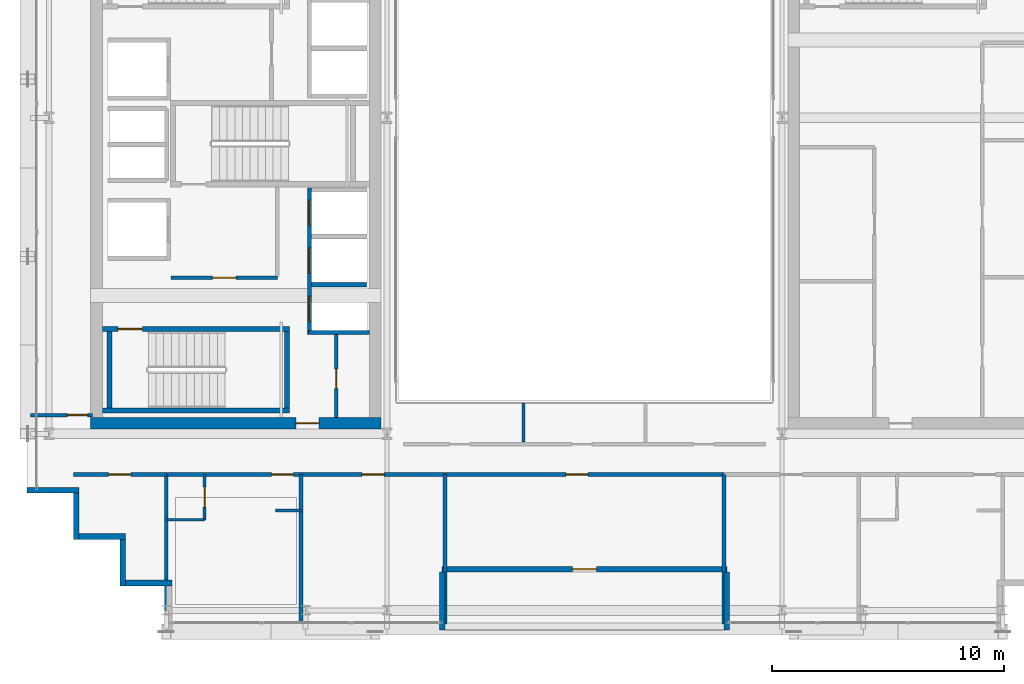
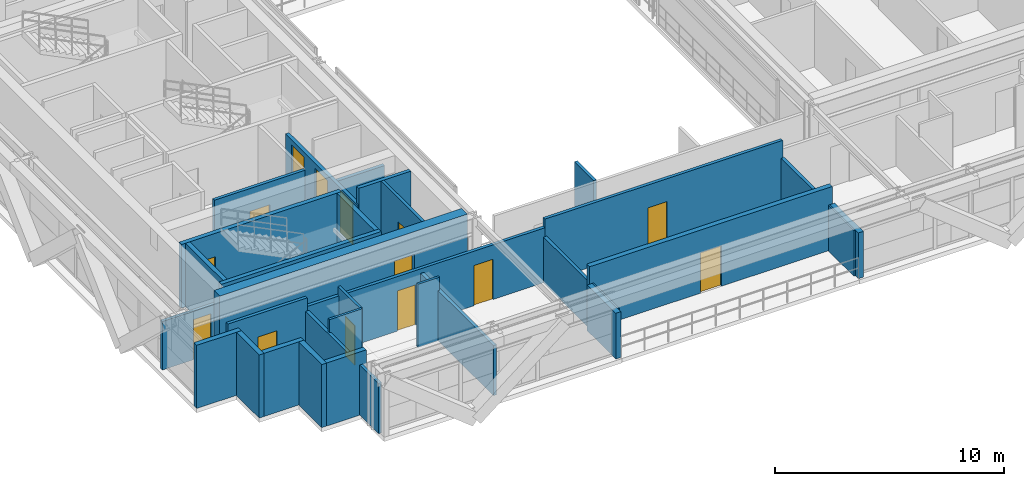
# One storey, part 29 of 37: 30 walls, 14 doors, 14 openings.
"""IFC4 building model written with IfcOpenShell, lengths in metres."""

from ifc_helpers import new_model, si_unit, direction, frame, frame_2d, origin, place, context, subcontext, project, spatial, rectangle, extrude, source, transform, mapped, material, layer, layer_set, type_object, element, fill, save


model = new_model("IFC4")

# Units and contexts
model_context = context("Model", 3, precision=1e-05, world=origin(), true_north=direction((0.0, 1.0)))
body_context = subcontext(model_context, "Body", "Model", "MODEL_VIEW")
ifc_project = project(units=[si_unit("LENGTHUNIT", "METRE"), si_unit("AREAUNIT", "SQUARE_METRE"), si_unit("VOLUMEUNIT", "CUBIC_METRE"), si_unit("PLANEANGLEUNIT", "RADIAN"), si_unit("MASSUNIT", "GRAM", prefix="KILO")], contexts=[model_context])

# Site, building, storey
site_placement = place(None, origin())
site = spatial("IfcSite", under=ifc_project, at=site_placement, CompositionType="ELEMENT")
building_placement = place(site_placement, origin())
building = spatial("IfcBuilding", under=site, at=building_placement, Name="Ocotamira Hotel", CompositionType="ELEMENT")
storey_placement = place(building_placement, frame((0.0, 0.0, 192.0)))
storey = spatial("IfcBuildingStorey", under=building, at=storey_placement, Name="L48", CompositionType="ELEMENT", Elevation=192.0)

# Wall, opening, door
ifc_material_1 = material(Name="Concrete C50/60", Category="concrete")
ifc_layer_1 = layer(ifc_material_1, 0.5)
ifc_layer_set_1 = layer_set([ifc_layer_1], Name="Concrete C50/60")
wall_type_1 = type_object("IfcWallType", Name="WL-CORE-500", PredefinedType="SHEAR", material=ifc_layer_set_1)
wall_1_placement = place(storey_placement, frame((10.75, 15.0, 0.0), z_axis=(0.0, 0.0, 1.0), x_axis=(1.0, 0.0, 0.0)))
wall_1 = element("IfcWall", 1, at=wall_1_placement, inside=storey, type_object=wall_type_1, Name="L48 Shear Core Wall WCORE-S", PredefinedType="SHEAR", context=body_context, shape_type="SweptSolid", body=[
    extrude(rectangle(XDim=12.5, YDim=0.5, at=frame_2d((6.25, 0.0))), origin(), (0.0, 0.0, 1.0), 3.3701171875),
])
opening_1_placement = place(wall_1_placement, frame((8.830078125, 0.0, 0.0)))
opening_1 = element("IfcOpeningElement", 2, at=opening_1_placement, cuts=wall_1, Name="Opening D-FR2", PredefinedType="OPENING", context=body_context, shape_type="SweptSolid", body=[
    extrude(rectangle(XDim=1.0, YDim=2.14990234375, at=frame_2d((0.5, 1.074951171875))), frame((0.0, 0.260009765625, 0.0), z_axis=(0.0, -1.0, 0.0), x_axis=(1.0, 0.0, 0.0)), (0.0, 0.0, 1.0), 0.52001953125),
])
ifc_material_2 = material(Name="Fire-rated acoustic timber-veneer door", Category="wood")
door_type_1 = type_object("IfcDoorType", Name="DR-FIRE-1000", OperationType="NOTDEFINED", PredefinedType="DOOR", material=ifc_material_2)
shared_shape_1 = source(origin(), body_context, "Body", "SweptSolid", [
    extrude(rectangle(XDim=1.0, YDim=2.14990234375, at=frame_2d((0.5, 1.074951171875))), frame((0.0, 0.02490234375, 0.0), z_axis=(0.0, -1.0, 0.0), x_axis=(1.0, 0.0, 0.0)), (0.0, 0.0, 1.0), 0.050048828125),
])
door_1_placement = place(opening_1_placement, origin())
door_1 = element("IfcDoor", 3, at=door_1_placement, inside=storey, type_object=door_type_1, Name="L48 Door ID-L48-WLOB-S-D [ID-L48-WLOB-S-D]", OperationType="SINGLE_SWING_LEFT", OverallHeight=2.14990234375, OverallWidth=1.0, PredefinedType="DOOR", context=body_context, shape_type="MappedRepresentation", body=[
    mapped(shared_shape_1, transform((0.0, 0.0, 0.0), scale=1.0)),
])
fill(opening_1, door_1)

# Walls
ifc_material_3 = material(Name="Precast concrete C45/55", Category="concrete")
ifc_layer_2 = layer(ifc_material_3, 0.25)
ifc_layer_set_2 = layer_set([ifc_layer_2], Name="Precast concrete C45/55")
wall_type_2 = type_object("IfcWallType", Name="WL-EXT-SER-250", PredefinedType="SOLIDWALL", material=ifc_layer_set_2)
wall_2_placement = place(storey_placement, frame((8.0, 12.125, 0.0), z_axis=(0.0, 0.0, 1.0), x_axis=(1.0, 0.0, 0.0)))
element("IfcWall", 4, at=wall_2_placement, inside=storey, type_object=wall_type_2, Name="L48 Serrated Corner Wall 19", PredefinedType="SOLIDWALL", context=body_context, shape_type="SweptSolid", body=[
    extrude(rectangle(XDim=2.25, YDim=0.25, at=frame_2d((1.125, 0.0))), origin(), (0.0, 0.0, 1.0), 3.3701171875),
])
for number, where, z_axis, x_axis, name in (
    (5, (10.125, 12.0, 0.0), (0.0, 0.0, 1.0), (0.0, -1.0, 0.0), "L48 Serrated Corner Wall 20"),
    (6, (10.25, 10.125, 0.0), (0.0, 0.0, 1.0), (1.0, 0.0, 0.0), "L48 Serrated Corner Wall 21"),
    (7, (12.125, 10.0, 0.0), (0.0, 0.0, 1.0), (0.0, -1.0, 0.0), "L48 Serrated Corner Wall 22"),
    (8, (12.25, 8.125, 0.0), (0.0, 0.0, 1.0), (1.0, 0.0, 0.0), "L48 Serrated Corner Wall 23"),
):
    element("IfcWall", number, at=place(storey_placement, frame(where, z_axis=z_axis, x_axis=x_axis)), inside=storey, type_object=wall_type_2, Name=name, PredefinedType="SOLIDWALL", context=body_context, shape_type="SweptSolid", body=[
        extrude(rectangle(XDim=2.0, YDim=0.25, at=frame_2d((1.0, 0.0))), origin(), (0.0, 0.0, 1.0), 3.3701171875),
    ])

# Wall, opening, door
wall_3_placement = place(storey_placement, frame((25.875, 8.72509765625, 0.0), z_axis=(0.0, 0.0, 1.0), x_axis=(1.0, 0.0, 0.0)))
wall_3 = element("IfcWall", 9, at=wall_3_placement, inside=storey, type_object=wall_type_2, Name="L48 Sky Terrace Back Wall 1", PredefinedType="SOLIDWALL", context=body_context, shape_type="SweptSolid", body=[
    extrude(rectangle(XDim=12.25, YDim=0.25, at=frame_2d((6.125, 0.0))), origin(), (0.0, 0.0, 1.0), 3.3701171875),
])
opening_2_placement = place(wall_3_placement, frame((5.60009765625, 0.0, 0.0)))
opening_2 = element("IfcOpeningElement", 10, at=opening_2_placement, cuts=wall_3, Name="Opening ED-3", PredefinedType="OPENING", context=body_context, shape_type="SweptSolid", body=[
    extrude(rectangle(XDim=1.050048828125, YDim=2.14990234375, at=frame_2d((0.52490234375, 1.074951171875))), frame((0.0, 0.135009765625, 0.0), z_axis=(0.0, -1.0, 0.0), x_axis=(1.0, 0.0, 0.0)), (0.0, 0.0, 1.0), 0.27001953125),
])
ifc_material_4 = material(Name="Thermally broken aluminium glazed door", Category="aluminium")
door_type_2 = type_object("IfcDoorType", Name="DR-TERR-1050", OperationType="NOTDEFINED", PredefinedType="DOOR", material=ifc_material_4)
shared_shape_2 = source(origin(), body_context, "Body", "SweptSolid", [
    extrude(rectangle(XDim=1.050048828125, YDim=2.14990234375, at=frame_2d((0.52490234375, 1.074951171875))), frame((0.0, 0.02490234375, 0.0), z_axis=(0.0, -1.0, 0.0), x_axis=(1.0, 0.0, 0.0)), (0.0, 0.0, 1.0), 0.050048828125),
])
door_2_placement = place(opening_2_placement, origin())
door_2 = element("IfcDoor", 11, at=door_2_placement, inside=storey, type_object=door_type_2, Name="L48 Sky Terrace Access Door 1 [ED-BAL-L48-1]", OperationType="SINGLE_SWING_RIGHT", OverallHeight=2.14990234375, OverallWidth=1.050048828125, PredefinedType="DOOR", context=body_context, shape_type="MappedRepresentation", body=[
    mapped(shared_shape_2, transform((0.0, 0.0, 0.0), scale=1.0)),
])
fill(opening_2, door_2)

# Walls
for number, where, z_axis, x_axis, name in (
    (12, (25.875, 6.10009765625, 0.0), (0.0, 0.0, 1.0), (0.0, 1.0, 0.0), "L48 Sky Terrace Return Wall 1L"),
    (13, (38.125, 6.10009765625, 0.0), (0.0, 0.0, 1.0), (0.0, 1.0, 0.0), "L48 Sky Terrace Return Wall 1R"),
):
    element("IfcWall", number, at=place(storey_placement, frame(where, z_axis=z_axis, x_axis=x_axis)), inside=storey, type_object=wall_type_2, Name=name, PredefinedType="SOLIDWALL", context=body_context, shape_type="SweptSolid", body=[
        extrude(rectangle(XDim=2.5, YDim=0.25, at=frame_2d((1.25, 0.0))), origin(), (0.0, 0.0, 1.0), 2.443115234375),
    ])

# Wall, opening, door
ifc_material_5 = material(Name="Acoustic double-layer fire gypsum board partition", Category="gypsum")
ifc_layer_3 = layer(ifc_material_5, 0.159912109375)
ifc_layer_set_3 = layer_set([ifc_layer_3], Name="Acoustic double-layer fire gypsum board partition")
wall_type_3 = type_object("IfcWallType", Name="WL-FIRE-160", PredefinedType="PARTITIONING", material=ifc_layer_set_3)
wall_4_placement = place(storey_placement, frame((14.199951171875, 21.27001953125, 0.0), z_axis=(0.0, 0.0, 1.0), x_axis=(1.0, 0.0, 0.0)))
wall_4 = element("IfcWall", 14, at=wall_4_placement, inside=storey, type_object=wall_type_3, Name="L48 Interior Wall PW-L48-FSAE1-S", PredefinedType="PARTITIONING", context=body_context, shape_type="SweptSolid", body=[
    extrude(rectangle(XDim=4.580078125, YDim=0.159912109375, at=frame_2d((2.2900390625, 0.0))), origin(), (0.0, 0.0, 1.0), 3.3701171875),
])
opening_3_placement = place(wall_4_placement, frame((1.800048828125, 0.0, 0.0)))
opening_3 = element("IfcOpeningElement", 15, at=opening_3_placement, cuts=wall_4, Name="Opening D-FR2", PredefinedType="OPENING", context=body_context, shape_type="SweptSolid", body=[
    extrude(rectangle(XDim=1.0, YDim=2.14990234375, at=frame_2d((0.5, 1.074951171875))), frame((0.0, 0.08984375, 0.0), z_axis=(0.0, -1.0, 0.0), x_axis=(1.0, 0.0, 0.0)), (0.0, 0.0, 1.0), 0.179931640625),
])
door_3_placement = place(opening_3_placement, origin())
door_3 = element("IfcDoor", 16, at=door_3_placement, inside=storey, type_object=door_type_1, Name="L48 Door ID-L48-FSAE1-D [ID-L48-FSAE1-D]", OperationType="SINGLE_SWING_LEFT", OverallHeight=2.14990234375, OverallWidth=1.0, PredefinedType="DOOR", context=body_context, shape_type="MappedRepresentation", body=[
    mapped(shared_shape_1, transform((0.0, 0.0, 0.0), scale=1.0)),
])
fill(opening_3, door_3)

wall_5_placement = place(storey_placement, frame((10.0, 12.800048828125, 0.0), z_axis=(0.0, 0.0, 1.0), x_axis=(1.0, 0.0, 0.0)))
wall_5 = element("IfcWall", 17, at=wall_5_placement, inside=storey, type_object=wall_type_3, Name="L48 Interior Wall PW-L48-Z3C-CSW-CW", PredefinedType="PARTITIONING", context=body_context, shape_type="SweptSolid", body=[
    extrude(rectangle(XDim=4.0, YDim=0.159912109375, at=frame_2d((2.0, 0.0))), origin(), (0.0, 0.0, 1.0), 3.3701171875),
])
opening_4_placement = place(wall_5_placement, frame((1.52001953125, 0.0, 0.0)))
opening_4 = element("IfcOpeningElement", 18, at=opening_4_placement, cuts=wall_5, Name="Opening D-SV4", PredefinedType="OPENING", context=body_context, shape_type="SweptSolid", body=[
    extrude(rectangle(XDim=0.9599609375, YDim=2.14990234375, at=frame_2d((0.47998046875, 1.074951171875))), frame((0.0, 0.08984375, 0.0), z_axis=(0.0, -1.0, 0.0), x_axis=(1.0, 0.0, 0.0)), (0.0, 0.0, 1.0), 0.179931640625),
])
ifc_material_6 = material(Name="Fire-rated accessible walnut salon door", Category="wood")
door_type_3 = type_object("IfcDoorType", Name="DR-SERV-960", OperationType="NOTDEFINED", PredefinedType="DOOR", material=ifc_material_6)
shared_shape_3 = source(origin(), body_context, "Body", "SweptSolid", [
    extrude(rectangle(XDim=0.9599609375, YDim=2.14990234375, at=frame_2d((0.47998046875, 1.074951171875))), frame((0.0, 0.02490234375, 0.0), z_axis=(0.0, -1.0, 0.0), x_axis=(1.0, 0.0, 0.0)), (0.0, 0.0, 1.0), 0.050048828125),
])
door_4_placement = place(opening_4_placement, origin())
door_4 = element("IfcDoor", 19, at=door_4_placement, inside=storey, type_object=door_type_3, Name="L48 Door ID-L48-Z3C-CSW-CD [ID-L48-Z3C-CSW-CD]", OperationType="SINGLE_SWING_LEFT", OverallHeight=2.14990234375, OverallWidth=0.9599609375, PredefinedType="DOOR", context=body_context, shape_type="MappedRepresentation", body=[
    mapped(shared_shape_3, transform((0.0, 0.0, 0.0), scale=1.0)),
])
fill(opening_4, door_4)

# Wall, openings, doors
wall_6_placement = place(storey_placement, frame((14.0, 12.800048828125, 0.0), z_axis=(0.0, 0.0, 1.0), x_axis=(1.0, 0.0, 0.0)))
wall_6 = element("IfcWall", 20, at=wall_6_placement, inside=storey, type_object=wall_type_3, Name="L48 Interior Wall PW-L48-Z3CSW-CORRW", PredefinedType="PARTITIONING", context=body_context, shape_type="SweptSolid", body=[
    extrude(rectangle(XDim=12.0, YDim=0.159912109375, at=frame_2d((6.0, 0.0))), origin(), (0.0, 0.0, 1.0), 2.9130859375),
])
opening_5_placement = place(wall_6_placement, frame((4.5400390625, 0.0, 0.0)))
opening_5 = element("IfcOpeningElement", 21, at=opening_5_placement, cuts=wall_6, Name="Opening D-GR1", PredefinedType="OPENING", context=body_context, shape_type="SweptSolid", body=[
    extrude(rectangle(XDim=0.93994140625, YDim=2.14990234375, at=frame_2d((0.469970703125, 1.074951171875))), frame((0.0, 0.08984375, 0.0), z_axis=(0.0, -1.0, 0.0), x_axis=(1.0, 0.0, 0.0)), (0.0, 0.0, 1.0), 0.179931640625),
])
opening_6_placement = place(wall_6_placement, frame((8.419921875, 0.0, 0.0)))
opening_6 = element("IfcOpeningElement", 22, at=opening_6_placement, cuts=wall_6, Name="Opening D-SV4", PredefinedType="OPENING", context=body_context, shape_type="SweptSolid", body=[
    extrude(rectangle(XDim=0.9599609375, YDim=2.14990234375, at=frame_2d((0.47998046875, 1.074951171875))), frame((0.0, 0.08984375, 0.0), z_axis=(0.0, -1.0, 0.0), x_axis=(1.0, 0.0, 0.0)), (0.0, 0.0, 1.0), 0.179931640625),
])
door_5_placement = place(opening_6_placement, origin())
door_5 = element("IfcDoor", 23, at=door_5_placement, inside=storey, type_object=door_type_3, Name="L48 Door ID-L48-Z3CSW-AMD2 [ID-L48-Z3CSW-AMD2]", OperationType="SINGLE_SWING_RIGHT", OverallHeight=2.14990234375, OverallWidth=0.9599609375, PredefinedType="DOOR", context=body_context, shape_type="MappedRepresentation", body=[
    mapped(shared_shape_3, transform((0.0, 0.0, 0.0), scale=1.0)),
])
fill(opening_6, door_5)
ifc_material_7 = material(Name="Solid-core walnut suite entrance fire door", Category="wood")
door_type_4 = type_object("IfcDoorType", Name="DR-GUEST-940", OperationType="NOTDEFINED", PredefinedType="DOOR", material=ifc_material_7)
shared_shape_4 = source(origin(), body_context, "Body", "SweptSolid", [
    extrude(rectangle(XDim=0.93994140625, YDim=2.14990234375, at=frame_2d((0.469970703125, 1.074951171875))), frame((0.0, 0.02490234375, 0.0), z_axis=(0.0, -1.0, 0.0), x_axis=(1.0, 0.0, 0.0)), (0.0, 0.0, 1.0), 0.050048828125),
])
door_6_placement = place(opening_5_placement, origin())
door_6 = element("IfcDoor", 24, at=door_6_placement, inside=storey, type_object=door_type_4, Name="L48 Door ID-L48-Z3CSW-RMD1 [ID-L48-Z3CSW-RMD1]", OperationType="SINGLE_SWING_LEFT", OverallHeight=2.14990234375, OverallWidth=0.93994140625, PredefinedType="DOOR", context=body_context, shape_type="MappedRepresentation", body=[
    mapped(shared_shape_4, transform((0.0, 0.0, 0.0), scale=1.0)),
])
fill(opening_5, door_6)

# Wall, opening, door
wall_7_placement = place(storey_placement, frame((26.0, 12.800048828125, 0.0), z_axis=(0.0, 0.0, 1.0), x_axis=(1.0, 0.0, 0.0)))
wall_7 = element("IfcWall", 25, at=wall_7_placement, inside=storey, type_object=wall_type_3, Name="L48 Interior Wall PW-L48-Z3C-TSALN", PredefinedType="PARTITIONING", context=body_context, shape_type="SweptSolid", body=[
    extrude(rectangle(XDim=12.0, YDim=0.159912109375, at=frame_2d((6.0, 0.0))), origin(), (0.0, 0.0, 1.0), 3.3701171875),
])
opening_7_placement = place(wall_7_placement, frame((5.199951171875, 0.0, 0.0)))
opening_7 = element("IfcOpeningElement", 26, at=opening_7_placement, cuts=wall_7, Name="Opening D-SV4", PredefinedType="OPENING", context=body_context, shape_type="SweptSolid", body=[
    extrude(rectangle(XDim=0.9599609375, YDim=2.14990234375, at=frame_2d((0.47998046875, 1.074951171875))), frame((0.0, 0.08984375, 0.0), z_axis=(0.0, -1.0, 0.0), x_axis=(1.0, 0.0, 0.0)), (0.0, 0.0, 1.0), 0.179931640625),
])
door_7_placement = place(opening_7_placement, origin())
door_7 = element("IfcDoor", 27, at=door_7_placement, inside=storey, type_object=door_type_3, Name="L48 Door ID-L48-Z3C-TSALD [ID-L48-Z3C-TSALD]", OperationType="SINGLE_SWING_LEFT", OverallHeight=2.14990234375, OverallWidth=0.9599609375, PredefinedType="DOOR", context=body_context, shape_type="MappedRepresentation", body=[
    mapped(shared_shape_3, transform((0.0, 0.0, 0.0), scale=1.0)),
])
fill(opening_7, door_7)

ifc_material_8 = material(Name="Moisture-resistant en-suite tile and gypsum partition", Category="gypsum")
ifc_layer_4 = layer(ifc_material_8, 0.1201171875)
ifc_layer_set_4 = layer_set([ifc_layer_4], Name="Moisture-resistant en-suite tile and gypsum partition")
wall_type_4 = type_object("IfcWallType", Name="WL-PART-120", PredefinedType="PARTITIONING", material=ifc_layer_set_4)
wall_8_placement = place(storey_placement, frame((15.64990234375, 10.85009765625, 0.0), z_axis=(0.0, 0.0, 1.0), x_axis=(0.0, 1.0, 0.0)))
wall_8 = element("IfcWall", 28, at=wall_8_placement, inside=storey, type_object=wall_type_4, Name="L48 Interior Wall PW-L48-Z3CSW-BAE1", PredefinedType="PARTITIONING", context=body_context, shape_type="SweptSolid", body=[
    extrude(rectangle(XDim=1.949951171875, YDim=0.1201171875, at=frame_2d((0.97509765625, 0.0))), origin(), (0.0, 0.0, 1.0), 3.3701171875),
])
opening_8_placement = place(wall_8_placement, frame((0.544921875, 0.0, 0.0)))
opening_8 = element("IfcOpeningElement", 29, at=opening_8_placement, cuts=wall_8, Name="Opening D-BA1", PredefinedType="OPENING", context=body_context, shape_type="SweptSolid", body=[
    extrude(rectangle(XDim=0.860107421875, YDim=2.10009765625, at=frame_2d((0.43017578125, 1.050048828125))), frame((0.0, 0.070068359375, 0.0), z_axis=(0.0, -1.0, 0.0), x_axis=(1.0, 0.0, 0.0)), (0.0, 0.0, 1.0), 0.14013671875),
])
ifc_material_9 = material(Name="Moisture-sealed en-suite timber door", Category="wood")
door_type_5 = type_object("IfcDoorType", Name="DR-BATH-860", OperationType="NOTDEFINED", PredefinedType="DOOR", material=ifc_material_9)
shared_shape_5 = source(origin(), body_context, "Body", "SweptSolid", [
    extrude(rectangle(XDim=0.860107421875, YDim=2.10009765625, at=frame_2d((0.43017578125, 1.050048828125))), frame((0.0, 0.02490234375, 0.0), z_axis=(0.0, -1.0, 0.0), x_axis=(1.0, 0.0, 0.0)), (0.0, 0.0, 1.0), 0.050048828125),
])
door_8_placement = place(opening_8_placement, origin())
door_8 = element("IfcDoor", 30, at=door_8_placement, inside=storey, type_object=door_type_5, Name="L48 Door ID-L48-Z3CSW-BAD1 [ID-L48-Z3CSW-BAD1]", OperationType="SINGLE_SWING_RIGHT", OverallHeight=2.10009765625, OverallWidth=0.860107421875, PredefinedType="DOOR", context=body_context, shape_type="MappedRepresentation", body=[
    mapped(shared_shape_5, transform((0.0, 0.0, 0.0), scale=1.0)),
])
fill(opening_8, door_8)

# Walls
wall_9_placement = place(storey_placement, frame((14.0, 10.85009765625, 0.0), z_axis=(0.0, 0.0, 1.0), x_axis=(1.0, 0.0, 0.0)))
element("IfcWall", 31, at=wall_9_placement, inside=storey, type_object=wall_type_4, Name="L48 Interior Wall PW-L48-Z3CSW-BAS1", PredefinedType="PARTITIONING", context=body_context, shape_type="SweptSolid", body=[
    extrude(rectangle(XDim=1.64990234375, YDim=0.1201171875, at=frame_2d((0.824951171875, 0.0))), origin(), (0.0, 0.0, 1.0), 3.3701171875),
])
wall_10_placement = place(storey_placement, frame((18.699951171875, 11.25, 0.0), z_axis=(0.0, 0.0, 1.0), x_axis=(1.0, 0.0, 0.0)))
element("IfcWall", 32, at=wall_10_placement, inside=storey, type_object=wall_type_4, Name="L48 Interior Wall PW-L48-Z3CSW-DRN1", PredefinedType="PARTITIONING", context=body_context, shape_type="SweptSolid", body=[
    extrude(rectangle(XDim=1.10009765625, YDim=0.1201171875, at=frame_2d((0.550048828125, 0.0))), origin(), (0.0, 0.0, 1.0), 3.3701171875),
])

# Wall, opening, door
ifc_material_10 = material(Name="Acoustic hospitality gypsum board partition", Category="gypsum")
ifc_layer_5 = layer(ifc_material_10, 0.14208984375)
ifc_layer_set_5 = layer_set([ifc_layer_5], Name="Acoustic hospitality gypsum board partition")
wall_type_5 = type_object("IfcWallType", Name="WL-PART-142", PredefinedType="PARTITIONING", material=ifc_layer_set_5)
wall_11_placement = place(storey_placement, frame((21.320068359375, 15.25, 0.0), z_axis=(0.0, 0.0, 1.0), x_axis=(0.0, 1.0, 0.0)))
wall_11 = element("IfcWall", 33, at=wall_11_placement, inside=storey, type_object=wall_type_5, Name="L48 Interior Wall PW-L48-WC-SE-W", PredefinedType="PARTITIONING", context=body_context, shape_type="SweptSolid", body=[
    extrude(rectangle(XDim=3.590087890625, YDim=0.14208984375, at=frame_2d((1.794921875, 0.0))), origin(), (0.0, 0.0, 1.0), 3.3701171875),
])
opening_9_placement = place(wall_11_placement, frame((1.25, 0.0, 0.0)))
opening_9 = element("IfcOpeningElement", 34, at=opening_9_placement, cuts=wall_11, Name="Opening D-SV1", PredefinedType="OPENING", context=body_context, shape_type="SweptSolid", body=[
    extrude(rectangle(XDim=0.840087890625, YDim=2.10009765625, at=frame_2d((0.419921875, 1.050048828125))), frame((0.0, 0.0810546875, 0.0), z_axis=(0.0, -1.0, 0.0), x_axis=(1.0, 0.0, 0.0)), (0.0, 0.0, 1.0), 0.162109375),
])
ifc_material_11 = material(Name="Fire-rated painted steel service door", Category="steel")
door_type_6 = type_object("IfcDoorType", Name="DR-SERV-840", OperationType="NOTDEFINED", PredefinedType="DOOR", material=ifc_material_11)
shared_shape_6 = source(origin(), body_context, "Body", "SweptSolid", [
    extrude(rectangle(XDim=0.840087890625, YDim=2.10009765625, at=frame_2d((0.419921875, 1.050048828125))), frame((0.0, 0.02490234375, 0.0), z_axis=(0.0, -1.0, 0.0), x_axis=(1.0, 0.0, 0.0)), (0.0, 0.0, 1.0), 0.050048828125),
])
door_9_placement = place(opening_9_placement, origin())
door_9 = element("IfcDoor", 35, at=door_9_placement, inside=storey, type_object=door_type_6, Name="L48 Door ID-L48-WC-SE-D [ID-L48-WC-SE-D]", OperationType="SINGLE_SWING_RIGHT", OverallHeight=2.10009765625, OverallWidth=0.840087890625, PredefinedType="DOOR", context=body_context, shape_type="MappedRepresentation", body=[
    mapped(shared_shape_6, transform((0.0, 0.0, 0.0), scale=1.0)),
])
fill(opening_9, door_9)

# Wall
wall_12_placement = place(storey_placement, frame((29.375, 14.199951171875, 0.0), z_axis=(0.0, 0.0, 1.0), x_axis=(0.0, 1.0, 0.0)))
element("IfcWall", 36, at=wall_12_placement, inside=storey, type_object=wall_type_5, Name="L48 Interior Wall PW-L48-Z3C-ASDV1", PredefinedType="PARTITIONING", context=body_context, shape_type="SweptSolid", body=[
    extrude(rectangle(XDim=1.679931640625, YDim=0.14208984375, at=frame_2d((0.83984375, 0.0))), origin(), (0.0, 0.0, 1.0), 3.3701171875),
])

# Wall, opening, door
ifc_layer_6 = layer(ifc_material_10, 0.14990234375)
ifc_layer_set_6 = layer_set([ifc_layer_6], Name="Acoustic hospitality gypsum board partition")
wall_type_6 = type_object("IfcWallType", Name="WL-PART-150", PredefinedType="PARTITIONING", material=ifc_layer_set_6)
wall_13_placement = place(storey_placement, frame((8.159912109375, 15.360107421875, 0.0), z_axis=(0.0, 0.0, 1.0), x_axis=(1.0, 0.0, 0.0)))
wall_13 = element("IfcWall", 37, at=wall_13_placement, inside=storey, type_object=wall_type_6, Name="L48 Interior Wall PW-L48-Z3C-WF-WS", PredefinedType="PARTITIONING", context=body_context, shape_type="SweptSolid", body=[
    extrude(rectangle(XDim=2.66015625, YDim=0.14990234375, at=frame_2d((1.330078125, 0.0))), origin(), (0.0, 0.0, 1.0), 2.591064453125),
])
opening_10_placement = place(wall_13_placement, frame((1.580078125, 0.0, 0.0)))
opening_10 = element("IfcOpeningElement", 38, at=opening_10_placement, cuts=wall_13, Name="Opening D-SV2", PredefinedType="OPENING", context=body_context, shape_type="SweptSolid", body=[
    extrude(rectangle(XDim=0.8798828125, YDim=2.14990234375, at=frame_2d((0.43994140625, 1.074951171875))), frame((0.0, 0.0849609375, 0.0), z_axis=(0.0, -1.0, 0.0), x_axis=(1.0, 0.0, 0.0)), (0.0, 0.0, 1.0), 0.169921875),
])
door_type_7 = type_object("IfcDoorType", Name="DR-SERV-880", OperationType="NOTDEFINED", PredefinedType="DOOR", material=ifc_material_11)
shared_shape_7 = source(origin(), body_context, "Body", "SweptSolid", [
    extrude(rectangle(XDim=0.8798828125, YDim=2.14990234375, at=frame_2d((0.43994140625, 1.074951171875))), frame((0.0, 0.02490234375, 0.0), z_axis=(0.0, -1.0, 0.0), x_axis=(1.0, 0.0, 0.0)), (0.0, 0.0, 1.0), 0.050048828125),
])
door_10_placement = place(opening_10_placement, origin())
door_10 = element("IfcDoor", 39, at=door_10_placement, inside=storey, type_object=door_type_7, Name="L48 Door ID-L48-Z3C-WF-DS [ID-L48-Z3C-WF-DS]", OperationType="SINGLE_SWING_LEFT", OverallHeight=2.14990234375, OverallWidth=0.8798828125, PredefinedType="DOOR", context=body_context, shape_type="MappedRepresentation", body=[
    mapped(shared_shape_7, transform((0.0, 0.0, 0.0), scale=1.0)),
])
fill(opening_10, door_10)

# Walls
ifc_material_12 = material(Name="Acoustic double-stud hospitality gypsum partition", Category="gypsum")
ifc_layer_7 = layer(ifc_material_12, 0.159912109375)
ifc_layer_set_7 = layer_set([ifc_layer_7], Name="Acoustic double-stud hospitality gypsum partition")
wall_type_7 = type_object("IfcWallType", Name="WL-PART-160", PredefinedType="PARTITIONING", material=ifc_layer_set_7)
wall_14_placement = place(storey_placement, frame((14.0, 6.360107421875, 0.0), z_axis=(0.0, 0.0, 1.0), x_axis=(0.0, 1.0, 0.0)))
element("IfcWall", 40, at=wall_14_placement, inside=storey, type_object=wall_type_7, Name="L48 Interior Wall PW-L48-Z3CSW-PW0", PredefinedType="PARTITIONING", context=body_context, shape_type="SweptSolid", body=[
    extrude(rectangle(XDim=6.43994140625, YDim=0.159912109375, at=frame_2d((3.219970703125, 0.0))), origin(), (0.0, 0.0, 1.0), 2.677001953125),
])
wall_15_placement = place(storey_placement, frame((26.0, 6.360107421875, 0.0), z_axis=(0.0, 0.0, 1.0), x_axis=(0.0, 1.0, 0.0)))
element("IfcWall", 41, at=wall_15_placement, inside=storey, type_object=wall_type_7, Name="L48 Interior Wall PW-L48-Z3CSW-PWEND", PredefinedType="PARTITIONING", context=body_context, shape_type="SweptSolid", body=[
    extrude(rectangle(XDim=6.43994140625, YDim=0.159912109375, at=frame_2d((3.219970703125, 0.0))), origin(), (0.0, 0.0, 1.0), 2.443115234375),
])
wall_16_placement = place(storey_placement, frame((19.800048828125, 6.360107421875, 0.0), z_axis=(0.0, 0.0, 1.0), x_axis=(0.0, 1.0, 0.0)))
element("IfcWall", 42, at=wall_16_placement, inside=storey, type_object=wall_type_7, Name="L48 Interior Wall PW-L48-Z3CSW-PW1", PredefinedType="PARTITIONING", context=body_context, shape_type="SweptSolid", body=[
    extrude(rectangle(XDim=6.43994140625, YDim=0.159912109375, at=frame_2d((3.219970703125, 0.0))), origin(), (0.0, 0.0, 1.0), 2.677001953125),
])
wall_17_placement = place(storey_placement, frame((38.0, 6.360107421875, 0.0), z_axis=(0.0, 0.0, 1.0), x_axis=(0.0, 1.0, 0.0)))
element("IfcWall", 43, at=wall_17_placement, inside=storey, type_object=wall_type_7, Name="L48 Interior Wall PW-L48-Z3CSE-PW0", PredefinedType="PARTITIONING", context=body_context, shape_type="SweptSolid", body=[
    extrude(rectangle(XDim=6.43994140625, YDim=0.159912109375, at=frame_2d((3.219970703125, 0.0))), origin(), (0.0, 0.0, 1.0), 2.443115234375),
])

# Wall, openings, doors
ifc_material_13 = material(Name="Fire-rated gypsum shaftliner board assembly", Category="gypsum")
ifc_layer_8 = layer(ifc_material_13, 0.179931640625)
ifc_layer_set_8 = layer_set([ifc_layer_8], Name="Fire-rated gypsum shaftliner board assembly")
wall_type_8 = type_object("IfcWallType", Name="WL-SHAFT-180", PredefinedType="SOLIDWALL", material=ifc_layer_set_8)
wall_18_placement = place(storey_placement, frame((20.159912109375, 18.820068359375, 0.0), z_axis=(0.0, 0.0, 1.0), x_axis=(0.0, 1.0, 0.0)))
wall_18 = element("IfcWall", 44, at=wall_18_placement, inside=storey, type_object=wall_type_8, Name="L48 Interior Wall PW-L48-LFW-BANK-high-F", PredefinedType="SOLIDWALL", context=body_context, shape_type="SweptSolid", body=[
    extrude(rectangle(XDim=6.31982421875, YDim=0.179931640625, at=frame_2d((3.159912109375, 0.0))), origin(), (0.0, 0.0, 1.0), 2.469970703125),
])
opening_11_placement = place(wall_18_placement, frame((0.554931640625, 0.0, 0.0)))
opening_11 = element("IfcOpeningElement", 45, at=opening_11_placement, cuts=wall_18, Name="Opening LD-LF-P7", PredefinedType="OPENING", context=body_context, shape_type="SweptSolid", body=[
    extrude(rectangle(XDim=1.10009765625, YDim=2.199951171875, at=frame_2d((0.550048828125, 1.10009765625))), frame((0.0, 0.10009765625, 0.0), z_axis=(0.0, -1.0, 0.0), x_axis=(1.0, 0.0, 0.0)), (0.0, 0.0, 1.0), 0.199951171875),
])
opening_12_placement = place(wall_18_placement, frame((2.635009765625, 0.0, 0.0)))
opening_12 = element("IfcOpeningElement", 46, at=opening_12_placement, cuts=wall_18, Name="Opening LD-LF-P8", PredefinedType="OPENING", context=body_context, shape_type="SweptSolid", body=[
    extrude(rectangle(XDim=1.10009765625, YDim=2.199951171875, at=frame_2d((0.550048828125, 1.10009765625))), frame((0.0, 0.10009765625, 0.0), z_axis=(0.0, -1.0, 0.0), x_axis=(1.0, 0.0, 0.0)), (0.0, 0.0, 1.0), 0.199951171875),
])
opening_13_placement = place(wall_18_placement, frame((4.68994140625, 0.0, 0.0)))
opening_13 = element("IfcOpeningElement", 47, at=opening_13_placement, cuts=wall_18, Name="Opening LD-LF-P9", PredefinedType="OPENING", context=body_context, shape_type="SweptSolid", body=[
    extrude(rectangle(XDim=1.10009765625, YDim=2.199951171875, at=frame_2d((0.550048828125, 1.10009765625))), frame((0.0, 0.10009765625, 0.0), z_axis=(0.0, -1.0, 0.0), x_axis=(1.0, 0.0, 0.0)), (0.0, 0.0, 1.0), 0.199951171875),
])
ifc_material_14 = material(Name="Brushed pale-metal stainless elevator landing door", Category="steel")
door_type_8 = type_object("IfcDoorType", Name="DR-LIFT-1100", OperationType="NOTDEFINED", PredefinedType="DOOR", material=ifc_material_14)
shared_shape_8 = source(origin(), body_context, "Body", "SweptSolid", [
    extrude(rectangle(XDim=1.10009765625, YDim=2.199951171875, at=frame_2d((0.550048828125, 1.10009765625))), frame((0.0, 0.02490234375, 0.0), z_axis=(0.0, -1.0, 0.0), x_axis=(1.0, 0.0, 0.0)), (0.0, 0.0, 1.0), 0.050048828125),
])
door_11_placement = place(opening_11_placement, origin())
door_11 = element("IfcDoor", 48, at=door_11_placement, inside=storey, type_object=door_type_8, Name="L48 Landing Door LD-LF-P7 [ID-L48-LD-LF-P7]", OperationType="DOUBLE_DOOR_SLIDING", OverallHeight=2.199951171875, OverallWidth=1.10009765625, PredefinedType="DOOR", context=body_context, shape_type="MappedRepresentation", body=[
    mapped(shared_shape_8, transform((0.0, 0.0, 0.0), scale=1.0)),
])
fill(opening_11, door_11)
door_12_placement = place(opening_12_placement, origin())
door_12 = element("IfcDoor", 49, at=door_12_placement, inside=storey, type_object=door_type_8, Name="L48 Landing Door LD-LF-P8 [ID-L48-LD-LF-P8]", OperationType="DOUBLE_DOOR_SLIDING", OverallHeight=2.199951171875, OverallWidth=1.10009765625, PredefinedType="DOOR", context=body_context, shape_type="MappedRepresentation", body=[
    mapped(shared_shape_8, transform((0.0, 0.0, 0.0), scale=1.0)),
])
fill(opening_12, door_12)
door_13_placement = place(opening_13_placement, origin())
door_13 = element("IfcDoor", 50, at=door_13_placement, inside=storey, type_object=door_type_8, Name="L48 Landing Door LD-LF-P9 [ID-L48-LD-LF-P9]", OperationType="DOUBLE_DOOR_SLIDING", OverallHeight=2.199951171875, OverallWidth=1.10009765625, PredefinedType="DOOR", context=body_context, shape_type="MappedRepresentation", body=[
    mapped(shared_shape_8, transform((0.0, 0.0, 0.0), scale=1.0)),
])
fill(opening_13, door_13)

# Walls
wall_19_placement = place(storey_placement, frame((20.1201171875, 18.909912109375, 0.0), z_axis=(0.0, 0.0, 1.0), x_axis=(1.0, 0.0, 0.0)))
element("IfcWall", 51, at=wall_19_placement, inside=storey, type_object=wall_type_8, Name="L48 Interior Wall PW-L48-LFW-BANK-high-S", PredefinedType="SOLIDWALL", context=body_context, shape_type="SweptSolid", body=[
    extrude(rectangle(XDim=2.6298828125, YDim=0.179931640625, at=frame_2d((1.31494140625, 0.0))), origin(), (0.0, 0.0, 1.0), 3.3701171875),
])
wall_20_placement = place(storey_placement, frame((20.25, 20.965087890625, 0.0), z_axis=(0.0, 0.0, 1.0), x_axis=(1.0, 0.0, 0.0)))
element("IfcWall", 52, at=wall_20_placement, inside=storey, type_object=wall_type_8, Name="L48 Interior Wall PW-L48-LFW-DIV-LF-P7", PredefinedType="SOLIDWALL", context=body_context, shape_type="SweptSolid", body=[
    extrude(rectangle(XDim=2.360107421875, YDim=0.179931640625, at=frame_2d((1.18017578125, 0.0))), origin(), (0.0, 0.0, 1.0), 2.469970703125),
])
ifc_layer_9 = layer(ifc_material_1, 0.219970703125)
ifc_layer_set_9 = layer_set([ifc_layer_9], Name="Concrete C50/60")
wall_type_9 = type_object("IfcWallType", Name="WL-STAIR-220", PredefinedType="SHEAR", material=ifc_layer_set_9)
wall_21_placement = place(storey_placement, frame((11.25, 15.56005859375, 0.0), z_axis=(0.0, 0.0, 1.0), x_axis=(1.0, 0.0, 0.0)))
element("IfcWall", 53, at=wall_21_placement, inside=storey, type_object=wall_type_9, Name="L48 Stair Shaft Structural Wall ST-1-S", PredefinedType="SHEAR", context=body_context, shape_type="SweptSolid", body=[
    extrude(rectangle(XDim=8.06005859375, YDim=0.219970703125, at=frame_2d((4.030029296875, 0.0))), origin(), (0.0, 0.0, 1.0), 3.39990234375),
])

# Wall, opening, door
wall_22_placement = place(storey_placement, frame((11.25, 19.06005859375, 0.0), z_axis=(0.0, 0.0, 1.0), x_axis=(1.0, 0.0, 0.0)))
wall_22 = element("IfcWall", 54, at=wall_22_placement, inside=storey, type_object=wall_type_9, Name="L48 Stair Shaft Structural Wall ST-1-N", PredefinedType="SHEAR", context=body_context, shape_type="SweptSolid", body=[
    extrude(rectangle(XDim=8.06005859375, YDim=0.219970703125, at=frame_2d((4.030029296875, 0.0))), origin(), (0.0, 0.0, 1.0), 3.39990234375),
])
opening_14_placement = place(wall_22_placement, frame((0.669921875, 0.0, 0.0)))
opening_14 = element("IfcOpeningElement", 55, at=opening_14_placement, cuts=wall_22, Name="Opening D-ST2", PredefinedType="OPENING", context=body_context, shape_type="SweptSolid", body=[
    extrude(rectangle(XDim=1.050048828125, YDim=2.14990234375, at=frame_2d((0.52490234375, 1.074951171875))), frame((0.0, 0.1201171875, 0.0), z_axis=(0.0, -1.0, 0.0), x_axis=(1.0, 0.0, 0.0)), (0.0, 0.0, 1.0), 0.239990234375),
])
ifc_material_15 = material(Name="Insulated painted hollow-metal fire exit door", Category="steel")
door_type_9 = type_object("IfcDoorType", Name="DR-STAIR-1050", OperationType="NOTDEFINED", PredefinedType="DOOR", material=ifc_material_15)
door_14_placement = place(opening_14_placement, origin())
door_14 = element("IfcDoor", 56, at=door_14_placement, inside=storey, type_object=door_type_9, Name="L48 Door ID-L48-STD-ST-1 [ID-L48-STD-ST-1]", OperationType="SINGLE_SWING_LEFT", OverallHeight=2.14990234375, OverallWidth=1.050048828125, PredefinedType="DOOR", context=body_context, shape_type="MappedRepresentation", body=[
    mapped(shared_shape_2, transform((0.0, 0.0, 0.0), scale=1.0)),
])
fill(opening_14, door_14)

# Walls
for number, where, z_axis, x_axis, name in (
    (57, (11.56005859375, 15.669921875, 0.0), (0.0, 0.0, 1.0), (0.0, 1.0, 0.0), "L48 Stair Shaft Structural Wall ST-1-W"),
    (58, (19.199951171875, 15.669921875, 0.0), (0.0, 0.0, 1.0), (0.0, 1.0, 0.0), "L48 Stair Shaft Structural Wall ST-1-E"),
):
    element("IfcWall", number, at=place(storey_placement, frame(where, z_axis=z_axis, x_axis=x_axis)), inside=storey, type_object=wall_type_9, Name=name, PredefinedType="SHEAR", context=body_context, shape_type="SweptSolid", body=[
        extrude(rectangle(XDim=3.280029296875, YDim=0.219970703125, at=frame_2d((1.64013671875, 0.0))), origin(), (0.0, 0.0, 1.0), 3.39990234375),
    ])

save(model, "model.ifc")
